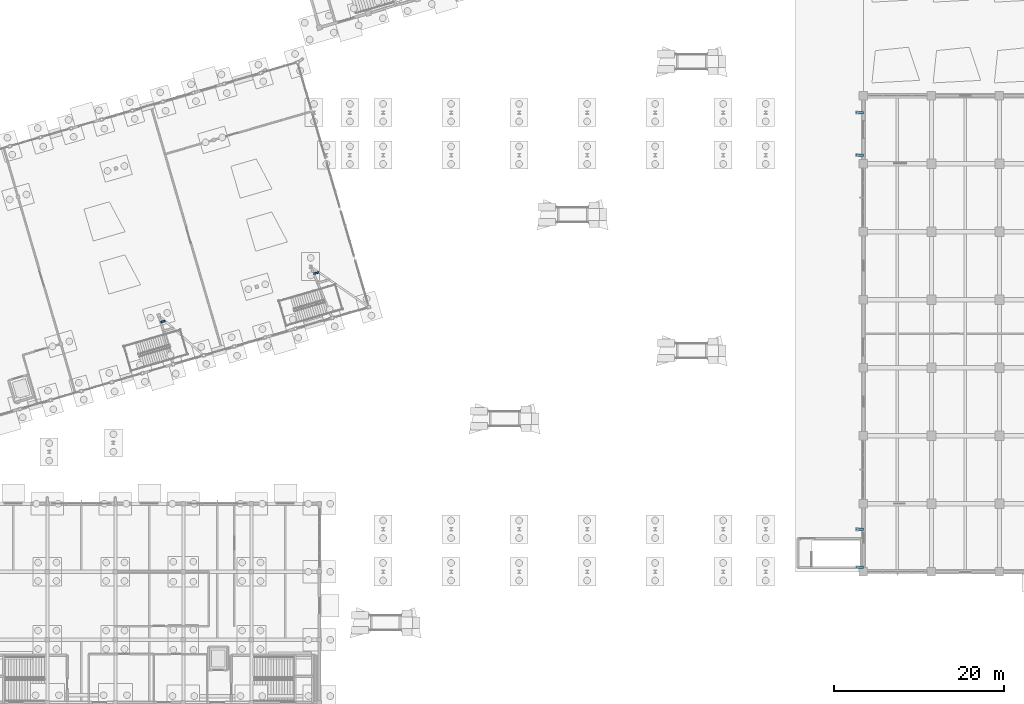
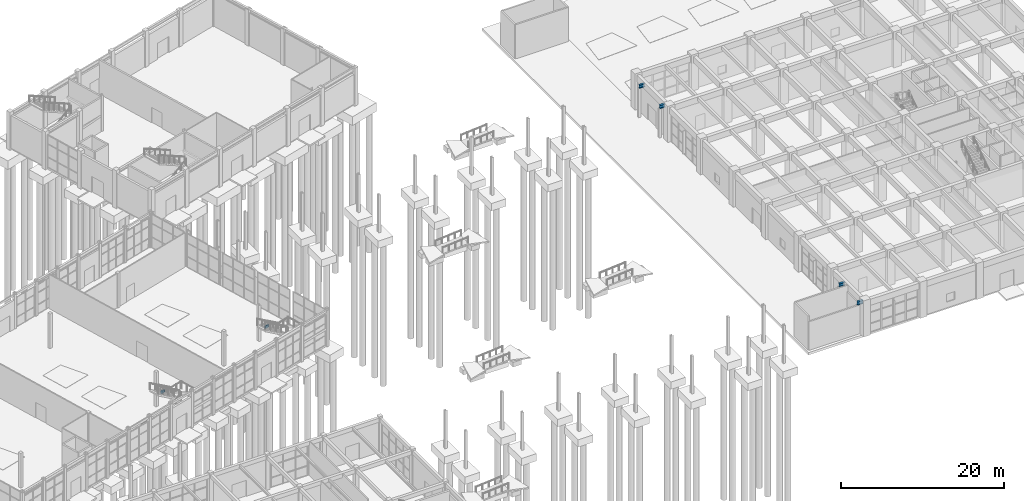
# One storey, part 60 of 90: 6 beams.
"""IFC4 building model written with IfcOpenShell, lengths in metres."""

from ifc_helpers import new_model, si_unit, direction, frame, origin, origin_2d, place, context, subcontext, project, spatial, rectangle, i_section, extrude, material, material_profile, profile_set, type_object, element, save


model = new_model("IFC4")

# Units and contexts
model_context = context("Model", 3, precision=1e-05, world=origin(), true_north=direction((0.0, 1.0)))
body_context = subcontext(model_context, "Body", "Model", "MODEL_VIEW")
ifc_project = project(units=[si_unit("LENGTHUNIT", "METRE"), si_unit("AREAUNIT", "SQUARE_METRE"), si_unit("VOLUMEUNIT", "CUBIC_METRE"), si_unit("PLANEANGLEUNIT", "RADIAN"), si_unit("MASSUNIT", "GRAM", prefix="KILO")], contexts=[model_context])

# Site, building, storey
site_placement = place(None, origin())
site = spatial("IfcSite", under=ifc_project, at=site_placement, CompositionType="ELEMENT")
building_placement = place(site_placement, origin())
building = spatial("IfcBuilding", under=site, at=building_placement, Name="Canggui Botanical Conservatory", CompositionType="ELEMENT")
storey_placement = place(building_placement, origin())
storey = spatial("IfcBuildingStorey", under=building, at=storey_placement, Name="L01", CompositionType="ELEMENT", Elevation=0.0)

# Beams
ifc_material_1 = material(Name="Steel Q355B", Category="steel")
ifc_material_profile_1 = material_profile(ifc_material_1, i_section(OverallWidth=0.300048828125, OverallDepth=0.5, WebThickness=0.010986328125, FlangeThickness=0.01806640625, FilletRadius=0.02392578125, at=origin_2d()), Name="HM 500x300x11x18")
ifc_profile_set_1 = profile_set([ifc_material_profile_1], Name="Steel Q355B")
beam_type_1 = type_object("IfcBeamType", Name="BM-GL01", PredefinedType="BEAM", material=ifc_profile_set_1)
for number, where, z_axis, x_axis, name in (
    (1, (130.0, 26.550048828125, 4.56005859375), (-1.0, 0.0, 0.0), (0.0, -1.0, 0.0), "SB-01 Seismic-Joint Structural Bearing Corbel Seat 1"),
    (2, (130.0, 31.0, 4.56005859375), (-1.0, 0.0, 0.0), (0.0, -1.0, 0.0), "SB-01 Seismic-Joint Structural Bearing Corbel Seat 2"),
    (3, (130.0, 75.0, 4.56005859375), (-1.0, 0.0, 0.0), (0.0, -1.0, 0.0), "SB-04 Seismic-Joint Structural Bearing Corbel Seat 1"),
    (4, (130.0, 80.0, 4.56005859375), (-1.0, 0.0, 0.0), (0.0, -1.0, 0.0), "SB-04 Seismic-Joint Structural Bearing Corbel Seat 2"),
):
    element("IfcBeam", number, at=place(storey_placement, frame(where, z_axis=z_axis, x_axis=x_axis)), inside=storey, type_object=beam_type_1, Name=name, PredefinedType="BEAM", context=body_context, shape_type="SweptSolid", body=[
        extrude(i_section(OverallWidth=0.300048828125, OverallDepth=0.5, WebThickness=0.010986328125, FlangeThickness=0.01806640625, FilletRadius=0.02392578125, at=origin_2d()), origin(), (0.0, 0.0, 1.0), 0.800048828125),
    ])
ifc_material_2 = material(Name="Concrete C35", Category="concrete")
ifc_material_profile_2 = material_profile(ifc_material_2, rectangle(XDim=0.199951171875, YDim=0.320068359375, at=origin_2d()), Name="RB 200x320")
ifc_profile_set_2 = profile_set([ifc_material_profile_2], Name="Concrete C35")
beam_type_2 = type_object("IfcBeamType", Name="BM-LIN02", PredefinedType="LINTEL", material=ifc_profile_set_2)
beam_1_placement = place(storey_placement, frame((47.355224609375, 55.353515625, 2.3798828125), z_axis=(0.96, 0.28, 0.0), x_axis=(-0.28, 0.96, 0.0)))
element("IfcBeam", 5, at=beam_1_placement, inside=storey, type_object=beam_type_2, Name="ST-C1 Landing Cross Tie 2", PredefinedType="LINTEL", context=body_context, shape_type="SweptSolid", body=[
    extrude(rectangle(XDim=0.199951171875, YDim=0.320068359375, at=origin_2d()), origin(), (0.0, 0.0, 1.0), 0.52490234375),
])
beam_2_placement = place(storey_placement, frame((65.335693359375, 61.0458984375, 2.3798828125), z_axis=(0.960047736497, 0.279836280077, 0.0), x_axis=(-0.279836280077, 0.960047736497, 0.0)))
element("IfcBeam", 6, at=beam_2_placement, inside=storey, type_object=beam_type_2, Name="ST-C2 Landing Cross Tie 2", PredefinedType="LINTEL", context=body_context, shape_type="SweptSolid", body=[
    extrude(rectangle(XDim=0.199951171875, YDim=0.320068359375, at=origin_2d()), origin(), (0.0, 0.0, 1.0), 0.6298828125),
])

save(model, "model.ifc")
